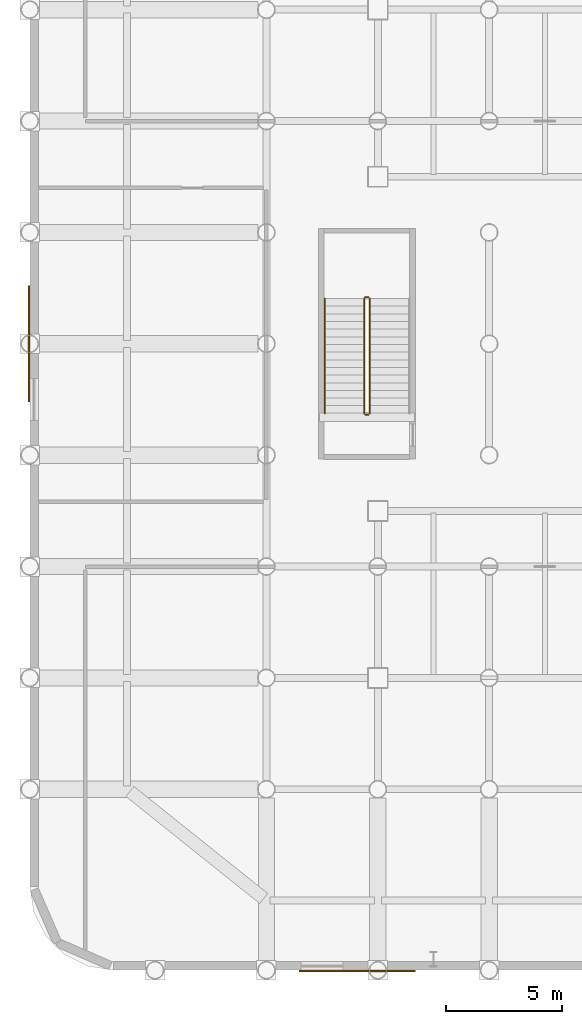
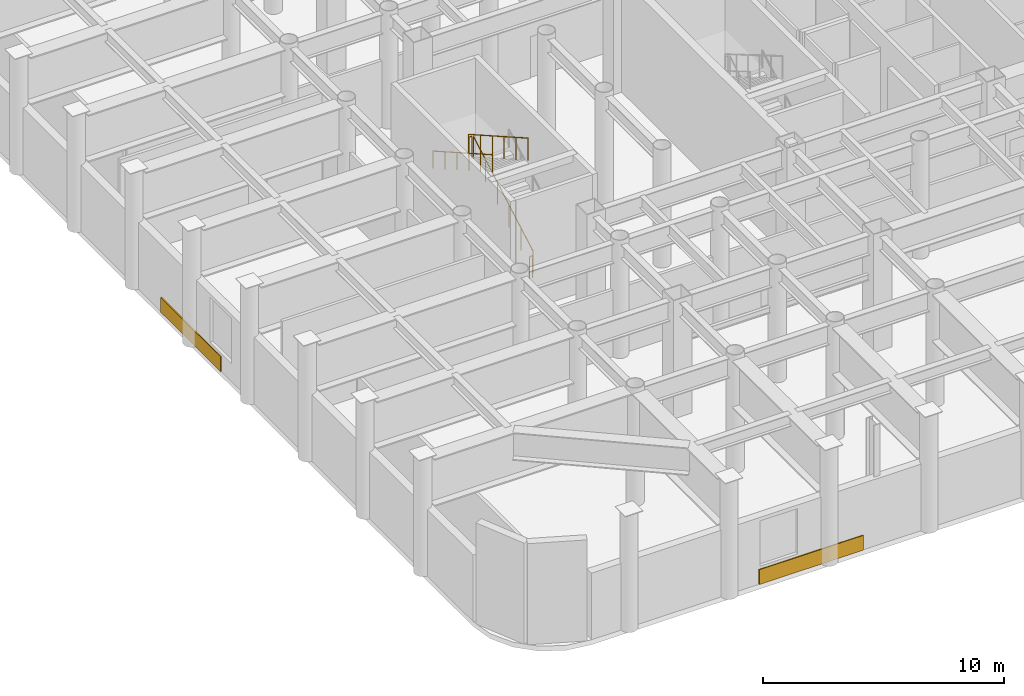
# One storey, part 22 of 26: 5 railings, 2 coverings.
"""IFC4 building model written with IfcOpenShell, lengths in metres."""

from ifc_helpers import new_model, si_unit, direction, frame, origin, origin_2d, place, context, subcontext, project, spatial, rectangle, circle, extrude, material, layer, layer_set, type_object, element, save


model = new_model("IFC4")

# Units and contexts
model_context = context("Model", 3, precision=1e-05, world=origin(), true_north=direction((0.0, 1.0)))
body_context = subcontext(model_context, "Body", "Model", "MODEL_VIEW")
ifc_project = project(units=[si_unit("LENGTHUNIT", "METRE"), si_unit("AREAUNIT", "SQUARE_METRE"), si_unit("VOLUMEUNIT", "CUBIC_METRE"), si_unit("PLANEANGLEUNIT", "RADIAN"), si_unit("MASSUNIT", "GRAM", prefix="KILO")], contexts=[model_context])

# Site, building, storey
site_placement = place(None, origin())
site = spatial("IfcSite", under=ifc_project, at=site_placement, CompositionType="ELEMENT")
building_placement = place(site_placement, origin())
building = spatial("IfcBuilding", under=site, at=building_placement, Name="Kallvorn Hotel Tower", CompositionType="ELEMENT")
storey_placement = place(building_placement, frame((0.0, 0.0, 6.0)))
storey = spatial("IfcBuildingStorey", under=building, at=storey_placement, Name="L01", CompositionType="ELEMENT", Elevation=6.0)

# Coverings
ifc_material_1 = material(Name="Precast basalt-clad insulated concrete wall C40/50", Category="masonry")
ifc_layer_1 = layer(ifc_material_1, 0.050048828125)
ifc_layer_set_1 = layer_set([ifc_layer_1], Name="COV_CLADDING_STONE")
covering_type = type_object("IfcCoveringType", Name="COV_CLADDING_STONE", PredefinedType="CLADDING", material=ifc_layer_set_1)
for number, where, z_axis, x_axis, name in (
    (1, (-24.875, -27.030029296875, 0.02490234375), (0.0, 0.0, 1.0), (1.0, 0.0, 0.0), "L01 Basalt Spandrel Cladding EW-L01-SW"),
    (2, (-39.030029296875, 0.0, 0.02490234375), (0.0, 0.0, 1.0), (0.0, 1.0, 0.0), "L01 Basalt Spandrel Cladding EW-L01-W"),
):
    element("IfcCovering", number, at=place(storey_placement, frame(where, z_axis=z_axis, x_axis=x_axis)), inside=storey, type_object=covering_type, Name=name, PredefinedType="CLADDING", context=body_context, shape_type="SweptSolid", body=[
        extrude(rectangle(XDim=5.0, YDim=0.050048828125, at=origin_2d()), origin(), (0.0, 0.0, 1.0), 0.75),
    ])

# Railings
ifc_material_2 = material(Name="Brushed stainless-steel tubular railing", Category="steel")
ifc_layer_2 = layer(ifc_material_2, 0.050048828125)
ifc_layer_set_2 = layer_set([ifc_layer_2], Name="RL_STAIR_GUARD")
railing_type_1 = type_object("IfcRailingType", Name="RL_STAIR_GUARD", PredefinedType="GUARDRAIL", material=ifc_layer_set_2)
railing_1_placement = place(storey_placement, frame((-24.35009765625, -3.0, 0.1875)))
element("IfcRailing", 3, at=railing_1_placement, inside=storey, type_object=railing_type_1, Name="L01 ST4 stair guard 1", PredefinedType="GUARDRAIL", context=body_context, shape_type="SweptSolid", body=[
    extrude(circle(Radius=0.02392578125, at=origin_2d()), frame((0.0, 0.0, 1.1259765625), z_axis=(0.0, 0.869454464302, 0.494013091431), x_axis=(-1.0, 0.0, 0.0)), (0.0, 0.0, 1.0), 5.693115234375),
    extrude(circle(Radius=0.02099609375, at=origin_2d()), origin(), (0.0, 0.0, 1.0), 1.101806640625),
    extrude(circle(Radius=0.02099609375, at=origin_2d()), frame((0.0, 0.989990234375, 0.5625)), (0.0, 0.0, 1.0), 1.101806640625),
    extrude(circle(Radius=0.02099609375, at=origin_2d()), frame((0.0, 1.97998046875, 1.125)), (0.0, 0.0, 1.0), 1.101806640625),
    extrude(circle(Radius=0.02099609375, at=origin_2d()), frame((0.0, 2.969970703125, 1.6875)), (0.0, 0.0, 1.0), 1.101806640625),
    extrude(circle(Radius=0.02099609375, at=origin_2d()), frame((0.0, 3.9599609375, 2.25)), (0.0, 0.0, 1.0), 1.101806640625),
    extrude(circle(Radius=0.02099609375, at=origin_2d()), frame((0.0, 4.949951171875, 2.8125)), (0.0, 0.0, 1.0), 1.101806640625),
])
railing_2_placement = place(storey_placement, frame((-24.39990234375, 2.0, 3.0)))
element("IfcRailing", 4, at=railing_2_placement, inside=storey, type_object=railing_type_1, Name="L01 ST4 stair guard 2", PredefinedType="GUARDRAIL", context=body_context, shape_type="SweptSolid", body=[
    extrude(circle(Radius=0.02392578125, at=origin_2d()), frame((0.0, 0.0, 1.1259765625), z_axis=(-1.0, 0.0, 0.0), x_axis=(0.0, -1.0, 0.0)), (0.0, 0.0, 1.0), 0.14013671875),
    extrude(circle(Radius=0.02099609375, at=origin_2d()), origin(), (0.0, 0.0, 1.0), 1.101806640625),
    extrude(circle(Radius=0.02099609375, at=origin_2d()), frame((-0.14013671875, 0.0, 0.0)), (0.0, 0.0, 1.0), 1.101806640625),
])
railing_3_placement = place(storey_placement, frame((-24.590087890625, 1.949951171875, 3.1875)))
element("IfcRailing", 5, at=railing_3_placement, inside=storey, type_object=railing_type_1, Name="L01 ST4 stair guard 3", PredefinedType="GUARDRAIL", context=body_context, shape_type="SweptSolid", body=[
    extrude(circle(Radius=0.02392578125, at=origin_2d()), frame((0.0, 0.0, 1.1259765625), z_axis=(0.0, -0.869454464302, 0.494013091431), x_axis=(1.0, 0.0, 0.0)), (0.0, 0.0, 1.0), 5.693115234375),
    extrude(circle(Radius=0.02099609375, at=origin_2d()), origin(), (0.0, 0.0, 1.0), 1.101806640625),
    extrude(circle(Radius=0.02099609375, at=origin_2d()), frame((0.0, -0.989990234375, 0.5625)), (0.0, 0.0, 1.0), 1.101806640625),
    extrude(circle(Radius=0.02099609375, at=origin_2d()), frame((0.0, -1.97998046875, 1.125)), (0.0, 0.0, 1.0), 1.101806640625),
    extrude(circle(Radius=0.02099609375, at=origin_2d()), frame((0.0, -2.969970703125, 1.6875)), (0.0, 0.0, 1.0), 1.101806640625),
    extrude(circle(Radius=0.02099609375, at=origin_2d()), frame((0.0, -3.9599609375, 2.25)), (0.0, 0.0, 1.0), 1.101806640625),
    extrude(circle(Radius=0.02099609375, at=origin_2d()), frame((0.0, -4.949951171875, 2.8125)), (0.0, 0.0, 1.0), 1.101806640625),
])
railing_4_placement = place(storey_placement, frame((-24.39990234375, -3.050048828125, 0.0)))
element("IfcRailing", 6, at=railing_4_placement, inside=storey, type_object=railing_type_1, Name="L01 ST4 stair guard 4", PredefinedType="GUARDRAIL", context=body_context, shape_type="SweptSolid", body=[
    extrude(circle(Radius=0.02392578125, at=origin_2d()), frame((0.0, 0.0, 1.1259765625), z_axis=(-1.0, 0.0, 0.0), x_axis=(0.0, -1.0, 0.0)), (0.0, 0.0, 1.0), 0.14013671875),
    extrude(circle(Radius=0.02099609375, at=origin_2d()), origin(), (0.0, 0.0, 1.0), 1.101806640625),
    extrude(circle(Radius=0.02099609375, at=origin_2d()), frame((-0.14013671875, 0.0, 0.0)), (0.0, 0.0, 1.0), 1.101806640625),
])
ifc_material_3 = material(Name="Brushed stainless-steel tubular railing", Category="steel")
ifc_layer_3 = layer(ifc_material_3, 0.050048828125)
ifc_layer_set_3 = layer_set([ifc_layer_3], Name="RL_STAIR_HAND")
railing_type_2 = type_object("IfcRailingType", Name="RL_STAIR_HAND", PredefinedType="HANDRAIL", material=ifc_layer_set_3)
railing_5_placement = place(storey_placement, frame((-26.2900390625, 1.949951171875, 3.1875)))
element("IfcRailing", 7, at=railing_5_placement, inside=storey, type_object=railing_type_2, Name="L01 ST4 stair handrail 2", PredefinedType="HANDRAIL", context=body_context, shape_type="SweptSolid", body=[
    extrude(circle(Radius=0.02392578125, at=origin_2d()), frame((0.0, 0.0, 0.8759765625), z_axis=(0.0, -0.869454464302, 0.494013091431), x_axis=(1.0, 0.0, 0.0)), (0.0, 0.0, 1.0), 5.693115234375),
    extrude(circle(Radius=0.02099609375, at=origin_2d()), origin(), (0.0, 0.0, 1.0), 0.851806640625),
    extrude(circle(Radius=0.02099609375, at=origin_2d()), frame((0.0, -0.989990234375, 0.5625)), (0.0, 0.0, 1.0), 0.851806640625),
    extrude(circle(Radius=0.02099609375, at=origin_2d()), frame((0.0, -1.97998046875, 1.125)), (0.0, 0.0, 1.0), 0.851806640625),
    extrude(circle(Radius=0.02099609375, at=origin_2d()), frame((0.0, -2.969970703125, 1.6875)), (0.0, 0.0, 1.0), 0.851806640625),
    extrude(circle(Radius=0.02099609375, at=origin_2d()), frame((0.0, -3.9599609375, 2.25)), (0.0, 0.0, 1.0), 0.851806640625),
    extrude(circle(Radius=0.02099609375, at=origin_2d()), frame((0.0, -4.949951171875, 2.8125)), (0.0, 0.0, 1.0), 0.851806640625),
])

save(model, "model.ifc")
